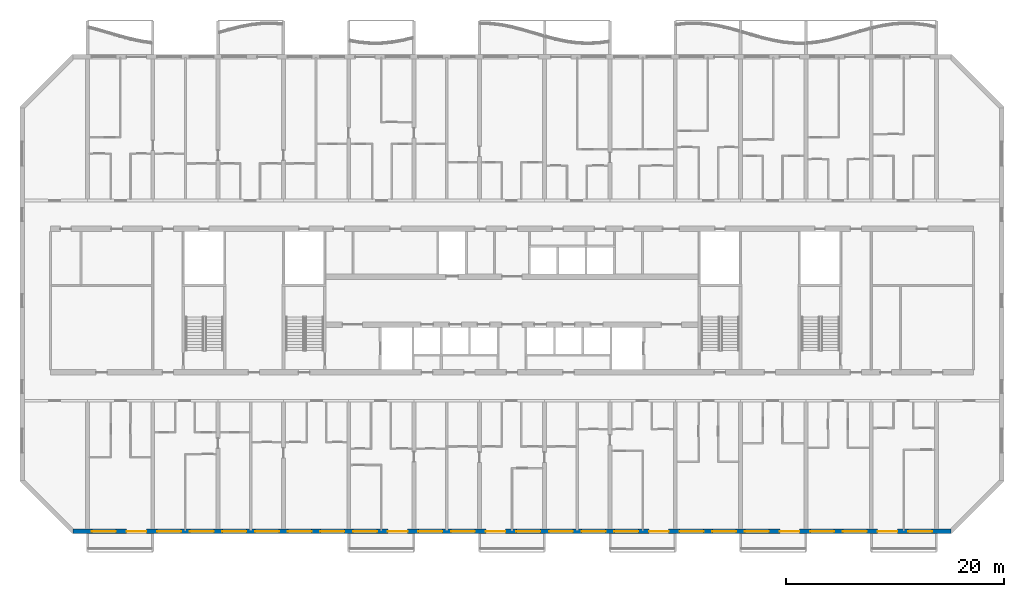
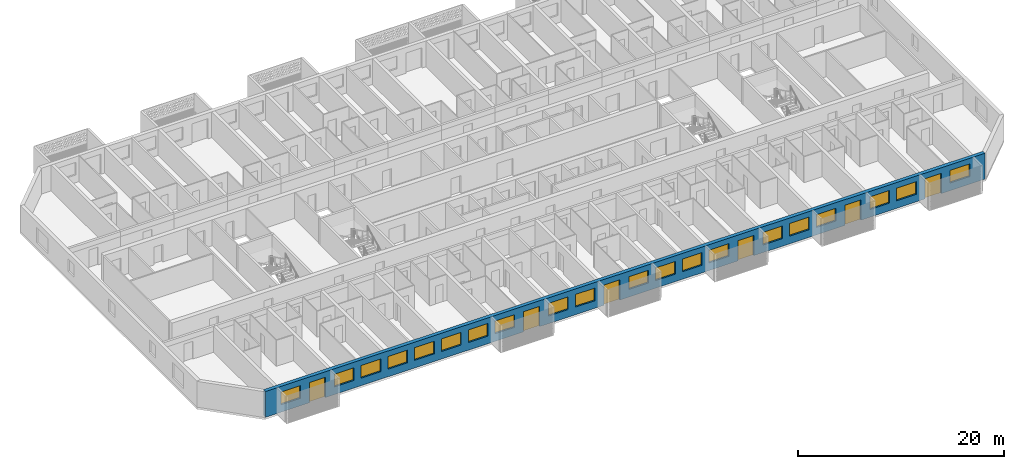
# One storey, part 4 of 30: 20 windows, 6 doors, 1 wall, 26 openings.
"""IFC4 building model written with IfcOpenShell, lengths in metres."""

from ifc_helpers import new_model, si_unit, direction, frame, frame_2d, origin, place, context, subcontext, project, spatial, rectangle, extrude, material, layer, layer_set, type_object, element, fill, save


model = new_model("IFC4")

# Units and contexts
model_context = context("Model", 3, precision=1e-05, world=origin(), true_north=direction((0.0, 1.0)))
body_context = subcontext(model_context, "Body", "Model", "MODEL_VIEW")
ifc_project = project(units=[si_unit("LENGTHUNIT", "METRE"), si_unit("AREAUNIT", "SQUARE_METRE"), si_unit("VOLUMEUNIT", "CUBIC_METRE"), si_unit("PLANEANGLEUNIT", "RADIAN"), si_unit("MASSUNIT", "GRAM", prefix="KILO")], contexts=[model_context])

# Site, building, storey
site_placement = place(None, origin())
site = spatial("IfcSite", under=ifc_project, at=site_placement, CompositionType="ELEMENT")
building_placement = place(site_placement, origin())
building = spatial("IfcBuilding", under=site, at=building_placement, Name="Poui Terraces", CompositionType="ELEMENT")
storey_placement = place(building_placement, frame((0.0, 0.0, 99.300048828125)))
storey = spatial("IfcBuildingStorey", under=building, at=storey_placement, Name="L27", CompositionType="ELEMENT", Elevation=99.300048828125)

# Wall, openings, doors, windows
ifc_material_1 = material(Name="Precast concrete 40 MPa", Category="concrete")
ifc_layer = layer(ifc_material_1, 0.39990234375)
ifc_layer_set = layer_set([ifc_layer], Name="Precast concrete 40 MPa")
wall_type = type_object("IfcWallType", Name="EXTERNAL WALL 400", PredefinedType="STANDARD", material=ifc_layer_set)
wall_placement = place(storey_placement, frame((10.682861328125, 0.0, 0.0), z_axis=(0.0, 0.0, 1.0), x_axis=(1.0, 0.0, 0.0)))
wall = element("IfcWall", 1, at=wall_placement, inside=storey, type_object=wall_type, Name="EXTERNAL WALL S", PredefinedType="STANDARD", context=body_context, shape_type="SweptSolid", body=[
    extrude(rectangle(XDim=80.63427734375, YDim=0.39990234375, at=frame_2d((40.317138671875, 0.0))), origin(), (0.0, 0.0, 1.0), 3.06005859375),
])
opening_1_placement = place(wall_placement, frame((1.71728515625, 0.0, 0.89990234375)))
opening_1 = element("IfcOpeningElement", 2, at=opening_1_placement, cuts=wall, Name="Opening W1", PredefinedType="OPENING", context=body_context, shape_type="SweptSolid", body=[
    extrude(rectangle(XDim=2.199951171875, YDim=1.5, at=frame_2d((1.10009765625, 0.75))), frame((0.0, 0.2099609375, 0.0), z_axis=(0.0, -1.0, 0.0), x_axis=(1.0, 0.0, 0.0)), (0.0, 0.0, 1.0), 0.419921875),
])
opening_2_placement = place(wall_placement, frame((4.917236328125, 0.0, 0.0)))
opening_2 = element("IfcOpeningElement", 3, at=opening_2_placement, cuts=wall, Name="Opening BD1", PredefinedType="OPENING", context=body_context, shape_type="SweptSolid", body=[
    extrude(rectangle(XDim=1.800048828125, YDim=2.39990234375, at=frame_2d((0.89990234375, 1.199951171875))), frame((0.0, 0.2099609375, 0.0), z_axis=(0.0, -1.0, 0.0), x_axis=(1.0, 0.0, 0.0)), (0.0, 0.0, 1.0), 0.419921875),
])
opening_3_placement = place(wall_placement, frame((7.71728515625, 0.0, 0.89990234375)))
opening_3 = element("IfcOpeningElement", 4, at=opening_3_placement, cuts=wall, Name="Opening W1", PredefinedType="OPENING", context=body_context, shape_type="SweptSolid", body=[
    extrude(rectangle(XDim=2.199951171875, YDim=1.5, at=frame_2d((1.10009765625, 0.75))), frame((0.0, 0.2099609375, 0.0), z_axis=(0.0, -1.0, 0.0), x_axis=(1.0, 0.0, 0.0)), (0.0, 0.0, 1.0), 0.419921875),
])
opening_4_placement = place(wall_placement, frame((10.71728515625, 0.0, 0.89990234375)))
opening_4 = element("IfcOpeningElement", 5, at=opening_4_placement, cuts=wall, Name="Opening W1", PredefinedType="OPENING", context=body_context, shape_type="SweptSolid", body=[
    extrude(rectangle(XDim=2.199951171875, YDim=1.5, at=frame_2d((1.10009765625, 0.75))), frame((0.0, 0.2099609375, 0.0), z_axis=(0.0, -1.0, 0.0), x_axis=(1.0, 0.0, 0.0)), (0.0, 0.0, 1.0), 0.419921875),
])
opening_5_placement = place(wall_placement, frame((13.71728515625, 0.0, 0.89990234375)))
opening_5 = element("IfcOpeningElement", 6, at=opening_5_placement, cuts=wall, Name="Opening W1", PredefinedType="OPENING", context=body_context, shape_type="SweptSolid", body=[
    extrude(rectangle(XDim=2.199951171875, YDim=1.5, at=frame_2d((1.10009765625, 0.75))), frame((0.0, 0.2099609375, 0.0), z_axis=(0.0, -1.0, 0.0), x_axis=(1.0, 0.0, 0.0)), (0.0, 0.0, 1.0), 0.419921875),
])
opening_6_placement = place(wall_placement, frame((16.71728515625, 0.0, 0.89990234375)))
opening_6 = element("IfcOpeningElement", 7, at=opening_6_placement, cuts=wall, Name="Opening W1", PredefinedType="OPENING", context=body_context, shape_type="SweptSolid", body=[
    extrude(rectangle(XDim=2.199951171875, YDim=1.5, at=frame_2d((1.10009765625, 0.75))), frame((0.0, 0.2099609375, 0.0), z_axis=(0.0, -1.0, 0.0), x_axis=(1.0, 0.0, 0.0)), (0.0, 0.0, 1.0), 0.419921875),
])
opening_7_placement = place(wall_placement, frame((19.71728515625, 0.0, 0.89990234375)))
opening_7 = element("IfcOpeningElement", 8, at=opening_7_placement, cuts=wall, Name="Opening W1", PredefinedType="OPENING", context=body_context, shape_type="SweptSolid", body=[
    extrude(rectangle(XDim=2.199951171875, YDim=1.5, at=frame_2d((1.10009765625, 0.75))), frame((0.0, 0.2099609375, 0.0), z_axis=(0.0, -1.0, 0.0), x_axis=(1.0, 0.0, 0.0)), (0.0, 0.0, 1.0), 0.419921875),
])
opening_8_placement = place(wall_placement, frame((22.71728515625, 0.0, 0.89990234375)))
opening_8 = element("IfcOpeningElement", 9, at=opening_8_placement, cuts=wall, Name="Opening W1", PredefinedType="OPENING", context=body_context, shape_type="SweptSolid", body=[
    extrude(rectangle(XDim=2.199951171875, YDim=1.5, at=frame_2d((1.10009765625, 0.75))), frame((0.0, 0.2099609375, 0.0), z_axis=(0.0, -1.0, 0.0), x_axis=(1.0, 0.0, 0.0)), (0.0, 0.0, 1.0), 0.419921875),
])
opening_9_placement = place(wall_placement, frame((25.71728515625, 0.0, 0.89990234375)))
opening_9 = element("IfcOpeningElement", 10, at=opening_9_placement, cuts=wall, Name="Opening W1", PredefinedType="OPENING", context=body_context, shape_type="SweptSolid", body=[
    extrude(rectangle(XDim=2.199951171875, YDim=1.5, at=frame_2d((1.10009765625, 0.75))), frame((0.0, 0.2099609375, 0.0), z_axis=(0.0, -1.0, 0.0), x_axis=(1.0, 0.0, 0.0)), (0.0, 0.0, 1.0), 0.419921875),
])
opening_10_placement = place(wall_placement, frame((28.917236328125, 0.0, 0.0)))
opening_10 = element("IfcOpeningElement", 11, at=opening_10_placement, cuts=wall, Name="Opening BD1", PredefinedType="OPENING", context=body_context, shape_type="SweptSolid", body=[
    extrude(rectangle(XDim=1.800048828125, YDim=2.39990234375, at=frame_2d((0.89990234375, 1.199951171875))), frame((0.0, 0.2099609375, 0.0), z_axis=(0.0, -1.0, 0.0), x_axis=(1.0, 0.0, 0.0)), (0.0, 0.0, 1.0), 0.419921875),
])
opening_11_placement = place(wall_placement, frame((31.71728515625, 0.0, 0.89990234375)))
opening_11 = element("IfcOpeningElement", 12, at=opening_11_placement, cuts=wall, Name="Opening W1", PredefinedType="OPENING", context=body_context, shape_type="SweptSolid", body=[
    extrude(rectangle(XDim=2.199951171875, YDim=1.5, at=frame_2d((1.10009765625, 0.75))), frame((0.0, 0.2099609375, 0.0), z_axis=(0.0, -1.0, 0.0), x_axis=(1.0, 0.0, 0.0)), (0.0, 0.0, 1.0), 0.419921875),
])
opening_12_placement = place(wall_placement, frame((34.71728515625, 0.0, 0.89990234375)))
opening_12 = element("IfcOpeningElement", 13, at=opening_12_placement, cuts=wall, Name="Opening W1", PredefinedType="OPENING", context=body_context, shape_type="SweptSolid", body=[
    extrude(rectangle(XDim=2.199951171875, YDim=1.5, at=frame_2d((1.10009765625, 0.75))), frame((0.0, 0.2099609375, 0.0), z_axis=(0.0, -1.0, 0.0), x_axis=(1.0, 0.0, 0.0)), (0.0, 0.0, 1.0), 0.419921875),
])
opening_13_placement = place(wall_placement, frame((37.917236328125, 0.0, 0.0)))
opening_13 = element("IfcOpeningElement", 14, at=opening_13_placement, cuts=wall, Name="Opening BD1", PredefinedType="OPENING", context=body_context, shape_type="SweptSolid", body=[
    extrude(rectangle(XDim=1.800048828125, YDim=2.39990234375, at=frame_2d((0.89990234375, 1.199951171875))), frame((0.0, 0.2099609375, 0.0), z_axis=(0.0, -1.0, 0.0), x_axis=(1.0, 0.0, 0.0)), (0.0, 0.0, 1.0), 0.419921875),
])
opening_14_placement = place(wall_placement, frame((40.71728515625, 0.0, 0.89990234375)))
opening_14 = element("IfcOpeningElement", 15, at=opening_14_placement, cuts=wall, Name="Opening W1", PredefinedType="OPENING", context=body_context, shape_type="SweptSolid", body=[
    extrude(rectangle(XDim=2.199951171875, YDim=1.5, at=frame_2d((1.10009765625, 0.75))), frame((0.0, 0.2099609375, 0.0), z_axis=(0.0, -1.0, 0.0), x_axis=(1.0, 0.0, 0.0)), (0.0, 0.0, 1.0), 0.419921875),
])
opening_15_placement = place(wall_placement, frame((43.71728515625, 0.0, 0.89990234375)))
opening_15 = element("IfcOpeningElement", 16, at=opening_15_placement, cuts=wall, Name="Opening W1", PredefinedType="OPENING", context=body_context, shape_type="SweptSolid", body=[
    extrude(rectangle(XDim=2.199951171875, YDim=1.5, at=frame_2d((1.10009765625, 0.75))), frame((0.0, 0.2099609375, 0.0), z_axis=(0.0, -1.0, 0.0), x_axis=(1.0, 0.0, 0.0)), (0.0, 0.0, 1.0), 0.419921875),
])
opening_16_placement = place(wall_placement, frame((46.71728515625, 0.0, 0.89990234375)))
opening_16 = element("IfcOpeningElement", 17, at=opening_16_placement, cuts=wall, Name="Opening W1", PredefinedType="OPENING", context=body_context, shape_type="SweptSolid", body=[
    extrude(rectangle(XDim=2.199951171875, YDim=1.5, at=frame_2d((1.10009765625, 0.75))), frame((0.0, 0.2099609375, 0.0), z_axis=(0.0, -1.0, 0.0), x_axis=(1.0, 0.0, 0.0)), (0.0, 0.0, 1.0), 0.419921875),
])
opening_17_placement = place(wall_placement, frame((49.71728515625, 0.0, 0.89990234375)))
opening_17 = element("IfcOpeningElement", 18, at=opening_17_placement, cuts=wall, Name="Opening W1", PredefinedType="OPENING", context=body_context, shape_type="SweptSolid", body=[
    extrude(rectangle(XDim=2.199951171875, YDim=1.5, at=frame_2d((1.10009765625, 0.75))), frame((0.0, 0.2099609375, 0.0), z_axis=(0.0, -1.0, 0.0), x_axis=(1.0, 0.0, 0.0)), (0.0, 0.0, 1.0), 0.419921875),
])
opening_18_placement = place(wall_placement, frame((52.917236328125, 0.0, 0.0)))
opening_18 = element("IfcOpeningElement", 19, at=opening_18_placement, cuts=wall, Name="Opening BD1", PredefinedType="OPENING", context=body_context, shape_type="SweptSolid", body=[
    extrude(rectangle(XDim=1.800048828125, YDim=2.39990234375, at=frame_2d((0.89990234375, 1.199951171875))), frame((0.0, 0.2099609375, 0.0), z_axis=(0.0, -1.0, 0.0), x_axis=(1.0, 0.0, 0.0)), (0.0, 0.0, 1.0), 0.419921875),
])
opening_19_placement = place(wall_placement, frame((55.71728515625, 0.0, 0.89990234375)))
opening_19 = element("IfcOpeningElement", 20, at=opening_19_placement, cuts=wall, Name="Opening W1", PredefinedType="OPENING", context=body_context, shape_type="SweptSolid", body=[
    extrude(rectangle(XDim=2.199951171875, YDim=1.5, at=frame_2d((1.10009765625, 0.75))), frame((0.0, 0.2099609375, 0.0), z_axis=(0.0, -1.0, 0.0), x_axis=(1.0, 0.0, 0.0)), (0.0, 0.0, 1.0), 0.419921875),
])
opening_20_placement = place(wall_placement, frame((58.71728515625, 0.0, 0.89990234375)))
opening_20 = element("IfcOpeningElement", 21, at=opening_20_placement, cuts=wall, Name="Opening W1", PredefinedType="OPENING", context=body_context, shape_type="SweptSolid", body=[
    extrude(rectangle(XDim=2.199951171875, YDim=1.5, at=frame_2d((1.10009765625, 0.75))), frame((0.0, 0.2099609375, 0.0), z_axis=(0.0, -1.0, 0.0), x_axis=(1.0, 0.0, 0.0)), (0.0, 0.0, 1.0), 0.419921875),
])
opening_21_placement = place(wall_placement, frame((61.71728515625, 0.0, 0.89990234375)))
opening_21 = element("IfcOpeningElement", 22, at=opening_21_placement, cuts=wall, Name="Opening W1", PredefinedType="OPENING", context=body_context, shape_type="SweptSolid", body=[
    extrude(rectangle(XDim=2.199951171875, YDim=1.5, at=frame_2d((1.10009765625, 0.75))), frame((0.0, 0.2099609375, 0.0), z_axis=(0.0, -1.0, 0.0), x_axis=(1.0, 0.0, 0.0)), (0.0, 0.0, 1.0), 0.419921875),
])
opening_22_placement = place(wall_placement, frame((64.917236328125, 0.0, 0.0)))
opening_22 = element("IfcOpeningElement", 23, at=opening_22_placement, cuts=wall, Name="Opening BD1", PredefinedType="OPENING", context=body_context, shape_type="SweptSolid", body=[
    extrude(rectangle(XDim=1.800048828125, YDim=2.39990234375, at=frame_2d((0.89990234375, 1.199951171875))), frame((0.0, 0.2099609375, 0.0), z_axis=(0.0, -1.0, 0.0), x_axis=(1.0, 0.0, 0.0)), (0.0, 0.0, 1.0), 0.419921875),
])
opening_23_placement = place(wall_placement, frame((67.71728515625, 0.0, 0.89990234375)))
opening_23 = element("IfcOpeningElement", 24, at=opening_23_placement, cuts=wall, Name="Opening W1", PredefinedType="OPENING", context=body_context, shape_type="SweptSolid", body=[
    extrude(rectangle(XDim=2.199951171875, YDim=1.5, at=frame_2d((1.10009765625, 0.75))), frame((0.0, 0.2099609375, 0.0), z_axis=(0.0, -1.0, 0.0), x_axis=(1.0, 0.0, 0.0)), (0.0, 0.0, 1.0), 0.419921875),
])
opening_24_placement = place(wall_placement, frame((70.71728515625, 0.0, 0.89990234375)))
opening_24 = element("IfcOpeningElement", 25, at=opening_24_placement, cuts=wall, Name="Opening W1", PredefinedType="OPENING", context=body_context, shape_type="SweptSolid", body=[
    extrude(rectangle(XDim=2.199951171875, YDim=1.5, at=frame_2d((1.10009765625, 0.75))), frame((0.0, 0.2099609375, 0.0), z_axis=(0.0, -1.0, 0.0), x_axis=(1.0, 0.0, 0.0)), (0.0, 0.0, 1.0), 0.419921875),
])
opening_25_placement = place(wall_placement, frame((73.917236328125, 0.0, 0.0)))
opening_25 = element("IfcOpeningElement", 26, at=opening_25_placement, cuts=wall, Name="Opening BD1", PredefinedType="OPENING", context=body_context, shape_type="SweptSolid", body=[
    extrude(rectangle(XDim=1.800048828125, YDim=2.39990234375, at=frame_2d((0.89990234375, 1.199951171875))), frame((0.0, 0.2099609375, 0.0), z_axis=(0.0, -1.0, 0.0), x_axis=(1.0, 0.0, 0.0)), (0.0, 0.0, 1.0), 0.419921875),
])
opening_26_placement = place(wall_placement, frame((76.71728515625, 0.0, 0.89990234375)))
opening_26 = element("IfcOpeningElement", 27, at=opening_26_placement, cuts=wall, Name="Opening W1", PredefinedType="OPENING", context=body_context, shape_type="SweptSolid", body=[
    extrude(rectangle(XDim=2.199951171875, YDim=1.5, at=frame_2d((1.10009765625, 0.75))), frame((0.0, 0.2099609375, 0.0), z_axis=(0.0, -1.0, 0.0), x_axis=(1.0, 0.0, 0.0)), (0.0, 0.0, 1.0), 0.419921875),
])
ifc_material_2 = material(Name="Clear glass in aluminium frame", Category="aluminium")
door_type = type_object("IfcDoorType", Name="BALCONY DOOR 1800X2400", OperationType="DOUBLE_DOOR_SLIDING", PredefinedType="DOOR", material=ifc_material_2)
door_1_placement = place(opening_2_placement, origin())
door_1 = element("IfcDoor", 28, at=door_1_placement, inside=storey, type_object=door_type, Name="BD1 BALCONY DOOR", OperationType="DOUBLE_DOOR_SLIDING", OverallHeight=2.39990234375, OverallWidth=1.800048828125, PredefinedType="DOOR", context=body_context, shape_type="SweptSolid", body=[
    extrude(rectangle(XDim=1.800048828125, YDim=2.39990234375, at=frame_2d((0.89990234375, 1.199951171875))), frame((0.0, 0.02490234375, 0.0), z_axis=(0.0, -1.0, 0.0), x_axis=(1.0, 0.0, 0.0)), (0.0, 0.0, 1.0), 0.050048828125),
])
fill(opening_2, door_1)
door_2_placement = place(opening_10_placement, origin())
door_2 = element("IfcDoor", 29, at=door_2_placement, inside=storey, type_object=door_type, Name="BD1 BALCONY DOOR", OperationType="DOUBLE_DOOR_SLIDING", OverallHeight=2.39990234375, OverallWidth=1.800048828125, PredefinedType="DOOR", context=body_context, shape_type="SweptSolid", body=[
    extrude(rectangle(XDim=1.800048828125, YDim=2.39990234375, at=frame_2d((0.89990234375, 1.199951171875))), frame((0.0, 0.02490234375, 0.0), z_axis=(0.0, -1.0, 0.0), x_axis=(1.0, 0.0, 0.0)), (0.0, 0.0, 1.0), 0.050048828125),
])
fill(opening_10, door_2)
door_3_placement = place(opening_13_placement, origin())
door_3 = element("IfcDoor", 30, at=door_3_placement, inside=storey, type_object=door_type, Name="BD1 BALCONY DOOR", OperationType="DOUBLE_DOOR_SLIDING", OverallHeight=2.39990234375, OverallWidth=1.800048828125, PredefinedType="DOOR", context=body_context, shape_type="SweptSolid", body=[
    extrude(rectangle(XDim=1.800048828125, YDim=2.39990234375, at=frame_2d((0.89990234375, 1.199951171875))), frame((0.0, 0.02490234375, 0.0), z_axis=(0.0, -1.0, 0.0), x_axis=(1.0, 0.0, 0.0)), (0.0, 0.0, 1.0), 0.050048828125),
])
fill(opening_13, door_3)
door_4_placement = place(opening_18_placement, origin())
door_4 = element("IfcDoor", 31, at=door_4_placement, inside=storey, type_object=door_type, Name="BD1 BALCONY DOOR", OperationType="DOUBLE_DOOR_SLIDING", OverallHeight=2.39990234375, OverallWidth=1.800048828125, PredefinedType="DOOR", context=body_context, shape_type="SweptSolid", body=[
    extrude(rectangle(XDim=1.800048828125, YDim=2.39990234375, at=frame_2d((0.89990234375, 1.199951171875))), frame((0.0, 0.02490234375, 0.0), z_axis=(0.0, -1.0, 0.0), x_axis=(1.0, 0.0, 0.0)), (0.0, 0.0, 1.0), 0.050048828125),
])
fill(opening_18, door_4)
door_5_placement = place(opening_22_placement, origin())
door_5 = element("IfcDoor", 32, at=door_5_placement, inside=storey, type_object=door_type, Name="BD1 BALCONY DOOR", OperationType="DOUBLE_DOOR_SLIDING", OverallHeight=2.39990234375, OverallWidth=1.800048828125, PredefinedType="DOOR", context=body_context, shape_type="SweptSolid", body=[
    extrude(rectangle(XDim=1.800048828125, YDim=2.39990234375, at=frame_2d((0.89990234375, 1.199951171875))), frame((0.0, 0.02490234375, 0.0), z_axis=(0.0, -1.0, 0.0), x_axis=(1.0, 0.0, 0.0)), (0.0, 0.0, 1.0), 0.050048828125),
])
fill(opening_22, door_5)
door_6_placement = place(opening_25_placement, origin())
door_6 = element("IfcDoor", 33, at=door_6_placement, inside=storey, type_object=door_type, Name="BD1 BALCONY DOOR", OperationType="DOUBLE_DOOR_SLIDING", OverallHeight=2.39990234375, OverallWidth=1.800048828125, PredefinedType="DOOR", context=body_context, shape_type="SweptSolid", body=[
    extrude(rectangle(XDim=1.800048828125, YDim=2.39990234375, at=frame_2d((0.89990234375, 1.199951171875))), frame((0.0, 0.02490234375, 0.0), z_axis=(0.0, -1.0, 0.0), x_axis=(1.0, 0.0, 0.0)), (0.0, 0.0, 1.0), 0.050048828125),
])
fill(opening_25, door_6)
window_type = type_object("IfcWindowType", Name="WINDOW 2200X1500", PartitioningType="DOUBLE_PANEL_HORIZONTAL", PredefinedType="WINDOW", material=ifc_material_2)
window_1_placement = place(opening_1_placement, origin())
window_1 = element("IfcWindow", 34, at=window_1_placement, inside=storey, type_object=window_type, Name="W1 WINDOW", OverallHeight=1.5, OverallWidth=2.199951171875, PartitioningType="DOUBLE_PANEL_HORIZONTAL", PredefinedType="WINDOW", context=body_context, shape_type="SweptSolid", body=[
    extrude(rectangle(XDim=2.199951171875, YDim=1.5, at=frame_2d((1.10009765625, 0.75))), frame((0.0, 0.030029296875, 0.0), z_axis=(0.0, -1.0, 0.0), x_axis=(1.0, 0.0, 0.0)), (0.0, 0.0, 1.0), 0.06005859375),
])
fill(opening_1, window_1)
window_2_placement = place(opening_3_placement, origin())
window_2 = element("IfcWindow", 35, at=window_2_placement, inside=storey, type_object=window_type, Name="W1 WINDOW", OverallHeight=1.5, OverallWidth=2.199951171875, PartitioningType="DOUBLE_PANEL_HORIZONTAL", PredefinedType="WINDOW", context=body_context, shape_type="SweptSolid", body=[
    extrude(rectangle(XDim=2.199951171875, YDim=1.5, at=frame_2d((1.10009765625, 0.75))), frame((0.0, 0.030029296875, 0.0), z_axis=(0.0, -1.0, 0.0), x_axis=(1.0, 0.0, 0.0)), (0.0, 0.0, 1.0), 0.06005859375),
])
fill(opening_3, window_2)
window_3_placement = place(opening_4_placement, origin())
window_3 = element("IfcWindow", 36, at=window_3_placement, inside=storey, type_object=window_type, Name="W1 WINDOW", OverallHeight=1.5, OverallWidth=2.199951171875, PartitioningType="DOUBLE_PANEL_HORIZONTAL", PredefinedType="WINDOW", context=body_context, shape_type="SweptSolid", body=[
    extrude(rectangle(XDim=2.199951171875, YDim=1.5, at=frame_2d((1.10009765625, 0.75))), frame((0.0, 0.030029296875, 0.0), z_axis=(0.0, -1.0, 0.0), x_axis=(1.0, 0.0, 0.0)), (0.0, 0.0, 1.0), 0.06005859375),
])
fill(opening_4, window_3)
window_4_placement = place(opening_5_placement, origin())
window_4 = element("IfcWindow", 37, at=window_4_placement, inside=storey, type_object=window_type, Name="W1 WINDOW", OverallHeight=1.5, OverallWidth=2.199951171875, PartitioningType="DOUBLE_PANEL_HORIZONTAL", PredefinedType="WINDOW", context=body_context, shape_type="SweptSolid", body=[
    extrude(rectangle(XDim=2.199951171875, YDim=1.5, at=frame_2d((1.10009765625, 0.75))), frame((0.0, 0.030029296875, 0.0), z_axis=(0.0, -1.0, 0.0), x_axis=(1.0, 0.0, 0.0)), (0.0, 0.0, 1.0), 0.06005859375),
])
fill(opening_5, window_4)
window_5_placement = place(opening_6_placement, origin())
window_5 = element("IfcWindow", 38, at=window_5_placement, inside=storey, type_object=window_type, Name="W1 WINDOW", OverallHeight=1.5, OverallWidth=2.199951171875, PartitioningType="DOUBLE_PANEL_HORIZONTAL", PredefinedType="WINDOW", context=body_context, shape_type="SweptSolid", body=[
    extrude(rectangle(XDim=2.199951171875, YDim=1.5, at=frame_2d((1.10009765625, 0.75))), frame((0.0, 0.030029296875, 0.0), z_axis=(0.0, -1.0, 0.0), x_axis=(1.0, 0.0, 0.0)), (0.0, 0.0, 1.0), 0.06005859375),
])
fill(opening_6, window_5)
window_6_placement = place(opening_7_placement, origin())
window_6 = element("IfcWindow", 39, at=window_6_placement, inside=storey, type_object=window_type, Name="W1 WINDOW", OverallHeight=1.5, OverallWidth=2.199951171875, PartitioningType="DOUBLE_PANEL_HORIZONTAL", PredefinedType="WINDOW", context=body_context, shape_type="SweptSolid", body=[
    extrude(rectangle(XDim=2.199951171875, YDim=1.5, at=frame_2d((1.10009765625, 0.75))), frame((0.0, 0.030029296875, 0.0), z_axis=(0.0, -1.0, 0.0), x_axis=(1.0, 0.0, 0.0)), (0.0, 0.0, 1.0), 0.06005859375),
])
fill(opening_7, window_6)
window_7_placement = place(opening_8_placement, origin())
window_7 = element("IfcWindow", 40, at=window_7_placement, inside=storey, type_object=window_type, Name="W1 WINDOW", OverallHeight=1.5, OverallWidth=2.199951171875, PartitioningType="DOUBLE_PANEL_HORIZONTAL", PredefinedType="WINDOW", context=body_context, shape_type="SweptSolid", body=[
    extrude(rectangle(XDim=2.199951171875, YDim=1.5, at=frame_2d((1.10009765625, 0.75))), frame((0.0, 0.030029296875, 0.0), z_axis=(0.0, -1.0, 0.0), x_axis=(1.0, 0.0, 0.0)), (0.0, 0.0, 1.0), 0.06005859375),
])
fill(opening_8, window_7)
window_8_placement = place(opening_9_placement, origin())
window_8 = element("IfcWindow", 41, at=window_8_placement, inside=storey, type_object=window_type, Name="W1 WINDOW", OverallHeight=1.5, OverallWidth=2.199951171875, PartitioningType="DOUBLE_PANEL_HORIZONTAL", PredefinedType="WINDOW", context=body_context, shape_type="SweptSolid", body=[
    extrude(rectangle(XDim=2.199951171875, YDim=1.5, at=frame_2d((1.10009765625, 0.75))), frame((0.0, 0.030029296875, 0.0), z_axis=(0.0, -1.0, 0.0), x_axis=(1.0, 0.0, 0.0)), (0.0, 0.0, 1.0), 0.06005859375),
])
fill(opening_9, window_8)
window_9_placement = place(opening_11_placement, origin())
window_9 = element("IfcWindow", 42, at=window_9_placement, inside=storey, type_object=window_type, Name="W1 WINDOW", OverallHeight=1.5, OverallWidth=2.199951171875, PartitioningType="DOUBLE_PANEL_HORIZONTAL", PredefinedType="WINDOW", context=body_context, shape_type="SweptSolid", body=[
    extrude(rectangle(XDim=2.199951171875, YDim=1.5, at=frame_2d((1.10009765625, 0.75))), frame((0.0, 0.030029296875, 0.0), z_axis=(0.0, -1.0, 0.0), x_axis=(1.0, 0.0, 0.0)), (0.0, 0.0, 1.0), 0.06005859375),
])
fill(opening_11, window_9)
window_10_placement = place(opening_12_placement, origin())
window_10 = element("IfcWindow", 43, at=window_10_placement, inside=storey, type_object=window_type, Name="W1 WINDOW", OverallHeight=1.5, OverallWidth=2.199951171875, PartitioningType="DOUBLE_PANEL_HORIZONTAL", PredefinedType="WINDOW", context=body_context, shape_type="SweptSolid", body=[
    extrude(rectangle(XDim=2.199951171875, YDim=1.5, at=frame_2d((1.10009765625, 0.75))), frame((0.0, 0.030029296875, 0.0), z_axis=(0.0, -1.0, 0.0), x_axis=(1.0, 0.0, 0.0)), (0.0, 0.0, 1.0), 0.06005859375),
])
fill(opening_12, window_10)
window_11_placement = place(opening_14_placement, origin())
window_11 = element("IfcWindow", 44, at=window_11_placement, inside=storey, type_object=window_type, Name="W1 WINDOW", OverallHeight=1.5, OverallWidth=2.199951171875, PartitioningType="DOUBLE_PANEL_HORIZONTAL", PredefinedType="WINDOW", context=body_context, shape_type="SweptSolid", body=[
    extrude(rectangle(XDim=2.199951171875, YDim=1.5, at=frame_2d((1.10009765625, 0.75))), frame((0.0, 0.030029296875, 0.0), z_axis=(0.0, -1.0, 0.0), x_axis=(1.0, 0.0, 0.0)), (0.0, 0.0, 1.0), 0.06005859375),
])
fill(opening_14, window_11)
window_12_placement = place(opening_15_placement, origin())
window_12 = element("IfcWindow", 45, at=window_12_placement, inside=storey, type_object=window_type, Name="W1 WINDOW", OverallHeight=1.5, OverallWidth=2.199951171875, PartitioningType="DOUBLE_PANEL_HORIZONTAL", PredefinedType="WINDOW", context=body_context, shape_type="SweptSolid", body=[
    extrude(rectangle(XDim=2.199951171875, YDim=1.5, at=frame_2d((1.10009765625, 0.75))), frame((0.0, 0.030029296875, 0.0), z_axis=(0.0, -1.0, 0.0), x_axis=(1.0, 0.0, 0.0)), (0.0, 0.0, 1.0), 0.06005859375),
])
fill(opening_15, window_12)
window_13_placement = place(opening_16_placement, origin())
window_13 = element("IfcWindow", 46, at=window_13_placement, inside=storey, type_object=window_type, Name="W1 WINDOW", OverallHeight=1.5, OverallWidth=2.199951171875, PartitioningType="DOUBLE_PANEL_HORIZONTAL", PredefinedType="WINDOW", context=body_context, shape_type="SweptSolid", body=[
    extrude(rectangle(XDim=2.199951171875, YDim=1.5, at=frame_2d((1.10009765625, 0.75))), frame((0.0, 0.030029296875, 0.0), z_axis=(0.0, -1.0, 0.0), x_axis=(1.0, 0.0, 0.0)), (0.0, 0.0, 1.0), 0.06005859375),
])
fill(opening_16, window_13)
window_14_placement = place(opening_17_placement, origin())
window_14 = element("IfcWindow", 47, at=window_14_placement, inside=storey, type_object=window_type, Name="W1 WINDOW", OverallHeight=1.5, OverallWidth=2.199951171875, PartitioningType="DOUBLE_PANEL_HORIZONTAL", PredefinedType="WINDOW", context=body_context, shape_type="SweptSolid", body=[
    extrude(rectangle(XDim=2.199951171875, YDim=1.5, at=frame_2d((1.10009765625, 0.75))), frame((0.0, 0.030029296875, 0.0), z_axis=(0.0, -1.0, 0.0), x_axis=(1.0, 0.0, 0.0)), (0.0, 0.0, 1.0), 0.06005859375),
])
fill(opening_17, window_14)
window_15_placement = place(opening_19_placement, origin())
window_15 = element("IfcWindow", 48, at=window_15_placement, inside=storey, type_object=window_type, Name="W1 WINDOW", OverallHeight=1.5, OverallWidth=2.199951171875, PartitioningType="DOUBLE_PANEL_HORIZONTAL", PredefinedType="WINDOW", context=body_context, shape_type="SweptSolid", body=[
    extrude(rectangle(XDim=2.199951171875, YDim=1.5, at=frame_2d((1.10009765625, 0.75))), frame((0.0, 0.030029296875, 0.0), z_axis=(0.0, -1.0, 0.0), x_axis=(1.0, 0.0, 0.0)), (0.0, 0.0, 1.0), 0.06005859375),
])
fill(opening_19, window_15)
window_16_placement = place(opening_20_placement, origin())
window_16 = element("IfcWindow", 49, at=window_16_placement, inside=storey, type_object=window_type, Name="W1 WINDOW", OverallHeight=1.5, OverallWidth=2.199951171875, PartitioningType="DOUBLE_PANEL_HORIZONTAL", PredefinedType="WINDOW", context=body_context, shape_type="SweptSolid", body=[
    extrude(rectangle(XDim=2.199951171875, YDim=1.5, at=frame_2d((1.10009765625, 0.75))), frame((0.0, 0.030029296875, 0.0), z_axis=(0.0, -1.0, 0.0), x_axis=(1.0, 0.0, 0.0)), (0.0, 0.0, 1.0), 0.06005859375),
])
fill(opening_20, window_16)
window_17_placement = place(opening_21_placement, origin())
window_17 = element("IfcWindow", 50, at=window_17_placement, inside=storey, type_object=window_type, Name="W1 WINDOW", OverallHeight=1.5, OverallWidth=2.199951171875, PartitioningType="DOUBLE_PANEL_HORIZONTAL", PredefinedType="WINDOW", context=body_context, shape_type="SweptSolid", body=[
    extrude(rectangle(XDim=2.199951171875, YDim=1.5, at=frame_2d((1.10009765625, 0.75))), frame((0.0, 0.030029296875, 0.0), z_axis=(0.0, -1.0, 0.0), x_axis=(1.0, 0.0, 0.0)), (0.0, 0.0, 1.0), 0.06005859375),
])
fill(opening_21, window_17)
window_18_placement = place(opening_23_placement, origin())
window_18 = element("IfcWindow", 51, at=window_18_placement, inside=storey, type_object=window_type, Name="W1 WINDOW", OverallHeight=1.5, OverallWidth=2.199951171875, PartitioningType="DOUBLE_PANEL_HORIZONTAL", PredefinedType="WINDOW", context=body_context, shape_type="SweptSolid", body=[
    extrude(rectangle(XDim=2.199951171875, YDim=1.5, at=frame_2d((1.10009765625, 0.75))), frame((0.0, 0.030029296875, 0.0), z_axis=(0.0, -1.0, 0.0), x_axis=(1.0, 0.0, 0.0)), (0.0, 0.0, 1.0), 0.06005859375),
])
fill(opening_23, window_18)
window_19_placement = place(opening_24_placement, origin())
window_19 = element("IfcWindow", 52, at=window_19_placement, inside=storey, type_object=window_type, Name="W1 WINDOW", OverallHeight=1.5, OverallWidth=2.199951171875, PartitioningType="DOUBLE_PANEL_HORIZONTAL", PredefinedType="WINDOW", context=body_context, shape_type="SweptSolid", body=[
    extrude(rectangle(XDim=2.199951171875, YDim=1.5, at=frame_2d((1.10009765625, 0.75))), frame((0.0, 0.030029296875, 0.0), z_axis=(0.0, -1.0, 0.0), x_axis=(1.0, 0.0, 0.0)), (0.0, 0.0, 1.0), 0.06005859375),
])
fill(opening_24, window_19)
window_20_placement = place(opening_26_placement, origin())
window_20 = element("IfcWindow", 53, at=window_20_placement, inside=storey, type_object=window_type, Name="W1 WINDOW", OverallHeight=1.5, OverallWidth=2.199951171875, PartitioningType="DOUBLE_PANEL_HORIZONTAL", PredefinedType="WINDOW", context=body_context, shape_type="SweptSolid", body=[
    extrude(rectangle(XDim=2.199951171875, YDim=1.5, at=frame_2d((1.10009765625, 0.75))), frame((0.0, 0.030029296875, 0.0), z_axis=(0.0, -1.0, 0.0), x_axis=(1.0, 0.0, 0.0)), (0.0, 0.0, 1.0), 0.06005859375),
])
fill(opening_26, window_20)

save(model, "model.ifc")
